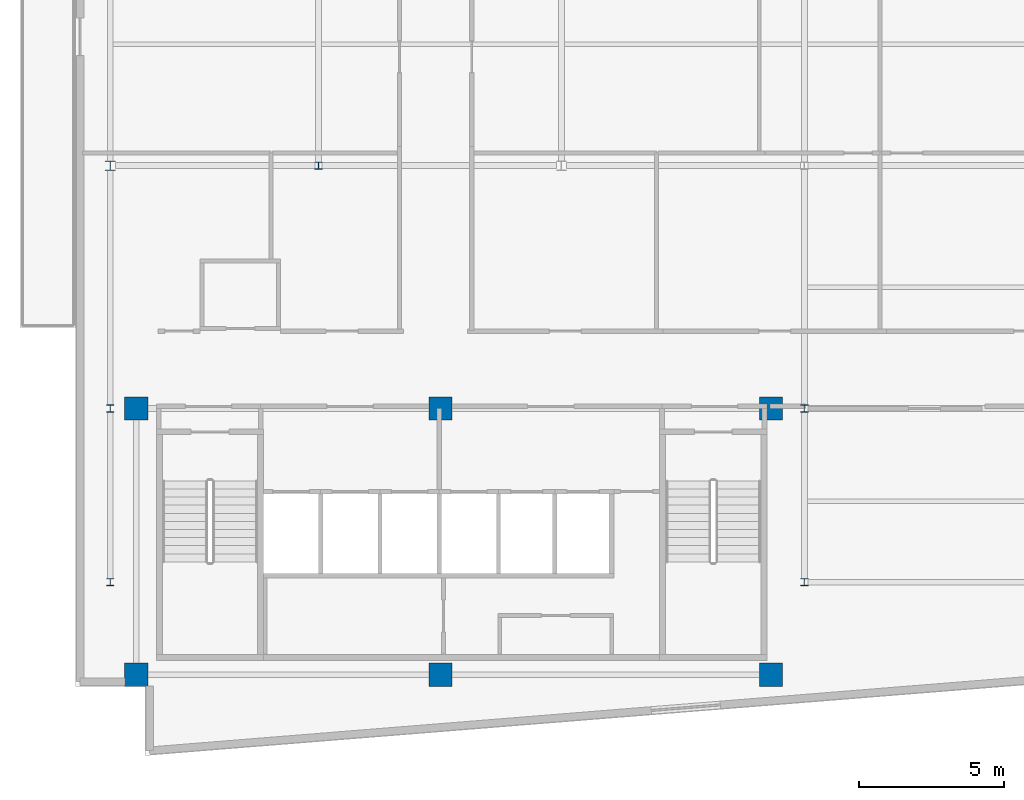
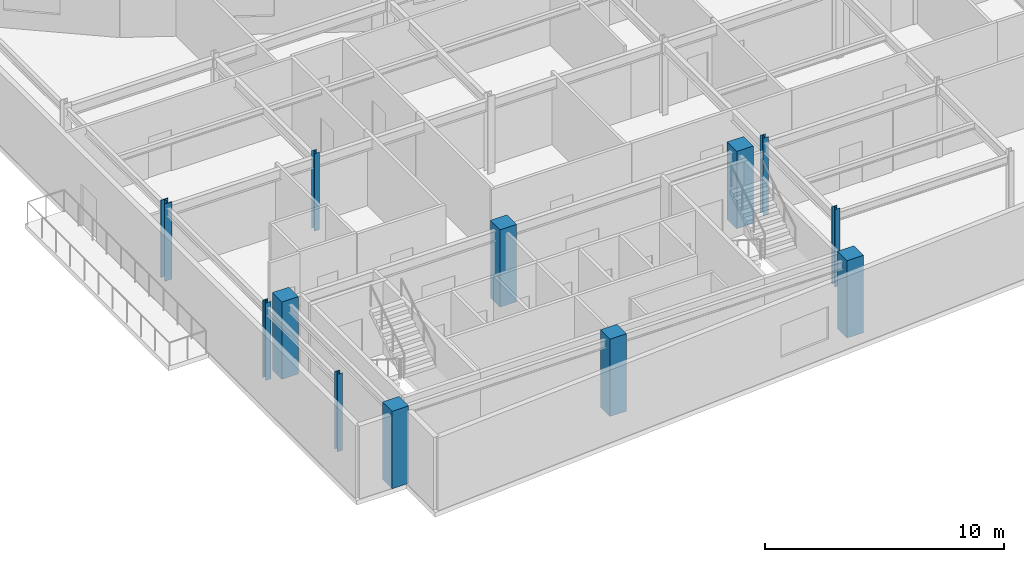
# One storey, part 1 of 16: 12 columns.
"""IFC4 building model written with IfcOpenShell, lengths in metres."""

import ifcopenshell
import ifcopenshell.guid

model = None  # the IFC model being written
_history = None  # IfcOwnerHistory: only IFC2X3 demands one
_inside = {}  # id of a spatial element -> (the spatial element, [elements in it])
_under = {}  # id of a project, library or spatial element -> (it, [spatial elements below it])
_declared = {}  # id of a project -> (the project, [libraries it declares])
_typed = {}  # id of a type object -> (the type object, [elements of that type])
_made_of = {}  # id of a material, layer set ... -> (it, [elements and type objects made of it])


def new_model(schema):
    """Start an empty IFC model of exactly this schema.

    Asked for "IFC4X3", IfcOpenShell would pick the latest addendum, in which some entities
    have other attributes; the version numbers below select the first issue.
    IFC2X3 requires an IfcOwnerHistory on every rooted entity: one is made here for all.
    """
    global model, _history
    if schema == "IFC4X3":
        model = ifcopenshell.file(schema_version=(4, 3, 0, 0))
    else:
        model = ifcopenshell.file(schema=schema)
    _inside.clear()
    _under.clear()
    _declared.clear()
    _typed.clear()
    _made_of.clear()
    _history = None
    if model.schema == "IFC2X3":
        org = make("IfcOrganization", Name="unknown")
        user = make(
            "IfcPersonAndOrganization",
            ThePerson=make("IfcPerson", FamilyName="unknown"),
            TheOrganization=org,
        )
        app = make(
            "IfcApplication",
            ApplicationDeveloper=org,
            Version="unknown",
            ApplicationFullName="unknown",
            ApplicationIdentifier="unknown",
        )
        _history = make(
            "IfcOwnerHistory",
            OwningUser=user,
            OwningApplication=app,
            ChangeAction="ADDED",
            CreationDate=0,
        )
    return model


def make(cls, **values):
    """One entity of the class cls with the attributes given. An attribute that is None is left unset."""
    return model.create_entity(
        cls, **{name: value for name, value in values.items() if value is not None}
    )


def rooted(cls, **values):
    """An entity with a GlobalId (a new one), such as an element, a storey or a relation."""
    return make(cls, GlobalId=ifcopenshell.guid.new(), OwnerHistory=_history, **values)


def si_unit(unit_type, name, prefix=None):
    """IfcSIUnit, for example si_unit("LENGTHUNIT", "METRE", prefix="MILLI")."""
    return make("IfcSIUnit", UnitType=unit_type, Prefix=prefix, Name=name)


def assignment(units):
    """IfcUnitAssignment: the units of a project."""
    return None if units is None else make("IfcUnitAssignment", Units=units)


def point(xyz):
    """IfcCartesianPoint."""
    return None if xyz is None else make("IfcCartesianPoint", Coordinates=xyz)


def direction(xyz):
    """IfcDirection."""
    return None if xyz is None else make("IfcDirection", DirectionRatios=xyz)


def frame(location, z_axis=None, x_axis=None):
    """IfcAxis2Placement3D, a coordinate frame: its origin and axes. An axis left out is left unset."""
    return make(
        "IfcAxis2Placement3D",
        Location=point(location),
        Axis=direction(z_axis),
        RefDirection=direction(x_axis),
    )


def frame_2d(location, x_axis=None):
    """IfcAxis2Placement2D, a coordinate frame in the plane: its origin and x axis."""
    return make(
        "IfcAxis2Placement2D", Location=point(location), RefDirection=direction(x_axis)
    )


def origin():
    """The frame at (0, 0, 0) with its axes left unset."""
    return frame((0.0, 0.0, 0.0))


def origin_2d():
    """The frame at (0, 0) in the plane with its x axis left unset."""
    return frame_2d((0.0, 0.0))


def place(relative_to, where):
    """IfcLocalPlacement: puts the frame where relative to a parent placement (None: the world)."""
    return make(
        "IfcLocalPlacement", PlacementRelTo=relative_to, RelativePlacement=where
    )


def context(
    kind, dimensions, precision=None, world=None, true_north=None, identifier=None
):
    """IfcGeometricRepresentationContext, for example the 3D "Model" context."""
    return make(
        "IfcGeometricRepresentationContext",
        ContextIdentifier=identifier,
        ContextType=kind,
        CoordinateSpaceDimension=dimensions,
        Precision=precision,
        WorldCoordinateSystem=world,
        TrueNorth=true_north,
    )


def subcontext(parent, identifier, kind, view, scale=None):
    """IfcGeometricRepresentationSubContext, for example "Body" below "Model"."""
    return make(
        "IfcGeometricRepresentationSubContext",
        ContextIdentifier=identifier,
        ContextType=kind,
        ParentContext=parent,
        TargetScale=scale,
        TargetView=view,
    )


def project(units=None, contexts=None):
    """IfcProject with its units and contexts."""
    return rooted(
        "IfcProject",
        Name="project",
        RepresentationContexts=contexts,
        UnitsInContext=assignment(units),
    )


def spatial(cls, under=None, at=None, **own):
    """A site, building, storey or space (cls), placed at a placement, below another one or the project."""
    s = rooted(cls, ObjectPlacement=at, **own)
    if under is not None:
        _under.setdefault(under.id(), (under, []))[1].append(s)
    return s


def profile(cls, at=None, kind="AREA", **sizes):
    """A parametric profile (cls). Its sizes go by their IFC names, for example OverallWidth=200.0."""
    return make(cls, ProfileType=kind, Position=at, **sizes)


def rectangle(**sizes):
    """IfcRectangleProfileDef."""
    return profile("IfcRectangleProfileDef", **sizes)


def i_section(**sizes):
    """IfcIShapeProfileDef."""
    return profile("IfcIShapeProfileDef", **sizes)


def extrude(swept, where, along, depth):
    """IfcExtrudedAreaSolid: the profile swept, set in the frame where, extruded along a direction by depth."""
    return make(
        "IfcExtrudedAreaSolid",
        SweptArea=swept,
        Position=where,
        ExtrudedDirection=direction(along),
        Depth=depth,
    )


def shape(context_of_items, identifier, shape_type, items):
    """IfcShapeRepresentation: the items that make up one representation, for example the "Body"."""
    return make(
        "IfcShapeRepresentation",
        ContextOfItems=context_of_items,
        RepresentationIdentifier=identifier,
        RepresentationType=shape_type,
        Items=items,
    )


def material(Name=None, Category=None):
    """IfcMaterial."""
    return make("IfcMaterial", Name=Name, Category=Category)


def material_profile(
    of_material, cross_section, Name=None, Category=None, Priority=None
):
    """IfcMaterialProfile: a cross section and its material."""
    return make(
        "IfcMaterialProfile",
        Name=Name,
        Material=of_material,
        Profile=cross_section,
        Priority=Priority,
        Category=Category,
    )


def profile_set(profiles, Name=None, composite=None):
    """IfcMaterialProfileSet."""
    return make(
        "IfcMaterialProfileSet",
        Name=Name,
        MaterialProfiles=profiles,
        CompositeProfile=composite,
    )


def made_of(thing, what):
    """Note that an element or type object is made of a material, layer set ...; save() writes the relation."""
    if what is not None:
        _made_of.setdefault(what.id(), (what, []))[1].append(thing)
    return thing


def type_object(cls, material=None, **own):
    """A type object (cls), such as IfcWallType, which elements share."""
    return made_of(rooted(cls, **own), material)


def element(
    cls,
    number,
    at=None,
    inside=None,
    cuts=None,
    type_object=None,
    material=None,
    context=None,
    identifier="Body",
    shape_type=None,
    held_by="IfcProductDefinitionShape",
    body=None,
    shapes=None,
    **own,
):
    """One element of the class cls, such as IfcWall. Its Tag is "e" and its number.

    at: its placement. inside: the storey or other place that contains it. cuts: it is an
    opening in that element (IfcRelVoidsElement). A single representation is given by context,
    identifier, shape_type and body (its items); several are given by shapes. held_by: the class
    of the entity that holds the representations. save() writes the other relations.
    """
    e = rooted(cls, Tag="e%d" % number, ObjectPlacement=at, **own)
    if body is not None:
        shapes = [shape(context, identifier, shape_type, body)]
    if shapes is not None:
        e.Representation = make(held_by, Representations=shapes)
    if inside is not None:
        _inside.setdefault(inside.id(), (inside, []))[1].append(e)
    if cuts is not None:
        rooted(
            "IfcRelVoidsElement", RelatingBuildingElement=cuts, RelatedOpeningElement=e
        )
    if type_object is not None:
        _typed.setdefault(type_object.id(), (type_object, []))[1].append(e)
    return made_of(e, material)


def aggregate(whole, parts):
    """IfcRelAggregates: a whole, such as a stair, and the parts it consists of."""
    return rooted("IfcRelAggregates", RelatingObject=whole, RelatedObjects=parts)


def save(model, path):
    """Write the relations noted so far, then the file.

    IfcRelAggregates (storeys below a building ...), IfcRelContainedInSpatialStructure (elements
    in a storey), IfcRelDefinesByType, IfcRelAssociatesMaterial and IfcRelDeclares: one each for
    every whole, place, type object, material and project.
    """
    for whole, parts in _under.values():
        aggregate(whole, parts)
    for where, things in _inside.values():
        rooted(
            "IfcRelContainedInSpatialStructure",
            RelatedElements=things,
            RelatingStructure=where,
        )
    for kind, things in _typed.values():
        rooted("IfcRelDefinesByType", RelatedObjects=things, RelatingType=kind)
    for what, things in _made_of.values():
        rooted("IfcRelAssociatesMaterial", RelatedObjects=things, RelatingMaterial=what)
    for by, libraries in _declared.values():
        rooted("IfcRelDeclares", RelatingContext=by, RelatedDefinitions=libraries)
    model.write(path)


model = new_model("IFC4")

# Units and contexts
model_context = context("Model", 3, precision=1e-05, world=origin(), true_north=direction((0.0, 1.0)))
body_context = subcontext(model_context, "Body", "Model", "MODEL_VIEW")
ifc_project = project(units=[si_unit("LENGTHUNIT", "METRE"), si_unit("AREAUNIT", "SQUARE_METRE"), si_unit("VOLUMEUNIT", "CUBIC_METRE"), si_unit("PLANEANGLEUNIT", "RADIAN"), si_unit("MASSUNIT", "GRAM", prefix="KILO")], contexts=[model_context])

# Site, building, storey
site_placement = place(None, origin())
site = spatial("IfcSite", under=ifc_project, at=site_placement, CompositionType="ELEMENT")
building_placement = place(site_placement, origin())
building = spatial("IfcBuilding", under=site, at=building_placement, Name="Varnakote Quay Hospital", CompositionType="ELEMENT")
storey_placement = place(building_placement, frame((0.0, 0.0, 268.39990234375)))
storey = spatial("IfcBuildingStorey", under=building, at=storey_placement, Name="L66", CompositionType="ELEMENT", Elevation=268.39990234375)

# Columns
ifc_material_1 = material(Name="Concrete N50 (f'c 50 MPa)", Category="concrete")
ifc_material_profile_1 = material_profile(ifc_material_1, rectangle(XDim=0.800048828125, YDim=0.800048828125, at=origin_2d()), Name="RC-COL-800x800")
ifc_profile_set_1 = profile_set([ifc_material_profile_1], Name="Concrete N50 (f'c 50 MPa)")
column_type_1 = type_object("IfcColumnType", Name="COL-RC-800", PredefinedType="COLUMN", material=ifc_profile_set_1)
for number, where, z_axis, x_axis, name in (
    (1, (2.10009765625, 2.800048828125, 0.0), (0.0, 0.0, 1.0), (1.0, 0.0, 0.0), "L66 Structural Column C-2-3"),
    (2, (12.6201171875, 2.800048828125, 0.0), (0.0, 0.0, 1.0), (1.0, 0.0, 0.0), "L66 Structural Column C-13-3"),
    (3, (24.050048828125, 2.800048828125, 0.0), (0.0, 0.0, 1.0), (1.0, 0.0, 0.0), "L66 Structural Column C-24-3"),
    (4, (2.10009765625, 12.0, 0.0), (0.0, 0.0, 1.0), (1.0, 0.0, 0.0), "L66 Structural Column C-2-12"),
    (5, (12.6201171875, 12.0, 0.0), (0.0, 0.0, 1.0), (1.0, 0.0, 0.0), "L66 Structural Column C-13-12"),
    (6, (24.050048828125, 12.0, 0.0), (0.0, 0.0, 1.0), (1.0, 0.0, 0.0), "L66 Structural Column C-24-12"),
):
    element("IfcColumn", number, at=place(storey_placement, frame(where, z_axis=z_axis, x_axis=x_axis)), inside=storey, type_object=column_type_1, Name=name, PredefinedType="COLUMN", context=body_context, shape_type="SweptSolid", body=[
        extrude(rectangle(XDim=0.800048828125, YDim=0.800048828125, at=origin_2d()), origin(), (0.0, 0.0, 1.0), 3.9501953125),
    ])
ifc_material_2 = material(Name="Structural steel AS/NZS 3679.1 Grade 350 L0 (fy 340 MPa)", Category="steel")
ifc_material_profile_2 = material_profile(ifc_material_2, i_section(OverallWidth=0.25390625, OverallDepth=0.25390625, WebThickness=0.008544921875, FlangeThickness=0.01416015625, FilletRadius=0.0126953125, at=origin_2d()), Name="250UC72.9")
ifc_profile_set_2 = profile_set([ifc_material_profile_2], Name="Structural steel AS/NZS 3679.1 Grade 350 L0 (fy 340 MPa)")
column_type_2 = type_object("IfcColumnType", Name="COL-STL-250UC72-9", PredefinedType="COLUMN", material=ifc_profile_set_2)
for number, where, z_axis, x_axis, name in (
    (7, (1.199951171875, 6.0, 0.0), (0.0, 0.0, 1.0), (1.0, 0.0, 0.0), "L66 Structural Column C-1-6"),
    (8, (25.199951171875, 6.0, 0.0), (0.0, 0.0, 1.0), (1.0, 0.0, 0.0), "L66 Structural Column C-25-6"),
    (9, (1.199951171875, 12.0, 0.0), (0.0, 0.0, 1.0), (1.0, 0.0, 0.0), "L66 Structural Column C-1-12"),
    (10, (25.199951171875, 12.0, 0.0), (0.0, 0.0, 1.0), (1.0, 0.0, 0.0), "L66 Structural Column C-25-12"),
    (11, (8.39990234375, 20.39990234375, 0.0), (0.0, 0.0, 1.0), (1.0, 0.0, 0.0), "L66 Structural Column C-8-20"),
):
    element("IfcColumn", number, at=place(storey_placement, frame(where, z_axis=z_axis, x_axis=x_axis)), inside=storey, type_object=column_type_2, Name=name, PredefinedType="COLUMN", context=body_context, shape_type="SweptSolid", body=[
        extrude(i_section(OverallWidth=0.25390625, OverallDepth=0.25390625, WebThickness=0.008544921875, FlangeThickness=0.01416015625, FilletRadius=0.0126953125, at=origin_2d()), origin(), (0.0, 0.0, 1.0), 3.9501953125),
    ])
ifc_material_3 = material(Name="Structural steel AS/NZS 3678 Grade 350 (fy 340 MPa)", Category="steel")
ifc_material_profile_3 = material_profile(ifc_material_3, i_section(OverallWidth=0.35009765625, OverallDepth=0.340087890625, WebThickness=0.01611328125, FlangeThickness=0.028076171875, at=origin_2d()), Name="350WC197")
ifc_profile_set_3 = profile_set([ifc_material_profile_3], Name="Structural steel AS/NZS 3678 Grade 350 (fy 340 MPa)")
column_type_3 = type_object("IfcColumnType", Name="COL-STL-350WC197", PredefinedType="COLUMN", material=ifc_profile_set_3)
column_placement = place(storey_placement, frame((1.199951171875, 20.39990234375, 0.0), z_axis=(0.0, 0.0, 1.0), x_axis=(1.0, 0.0, 0.0)))
element("IfcColumn", 12, at=column_placement, inside=storey, type_object=column_type_3, Name="L66 Structural Column C-1-20", PredefinedType="COLUMN", context=body_context, shape_type="SweptSolid", body=[
    extrude(i_section(OverallWidth=0.35009765625, OverallDepth=0.340087890625, WebThickness=0.01611328125, FlangeThickness=0.028076171875, at=origin_2d()), origin(), (0.0, 0.0, 1.0), 3.9501953125),
])

save(model, "model.ifc")
